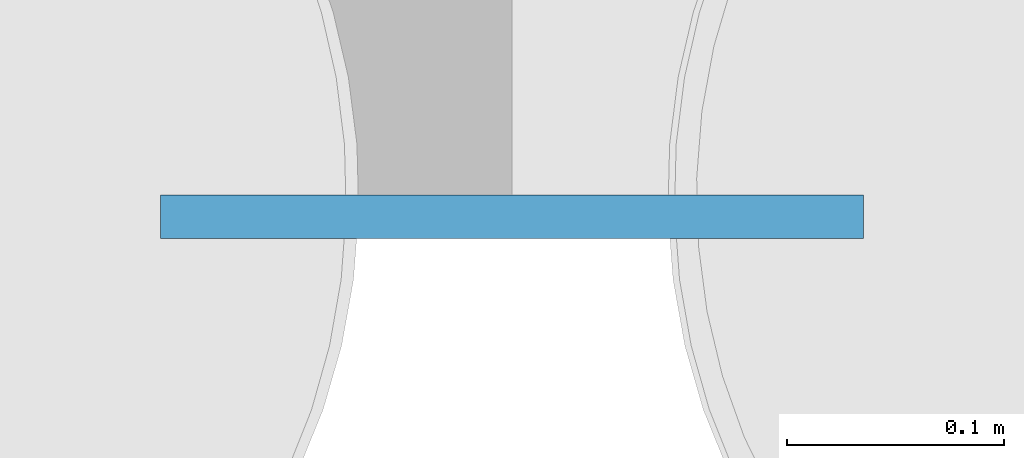
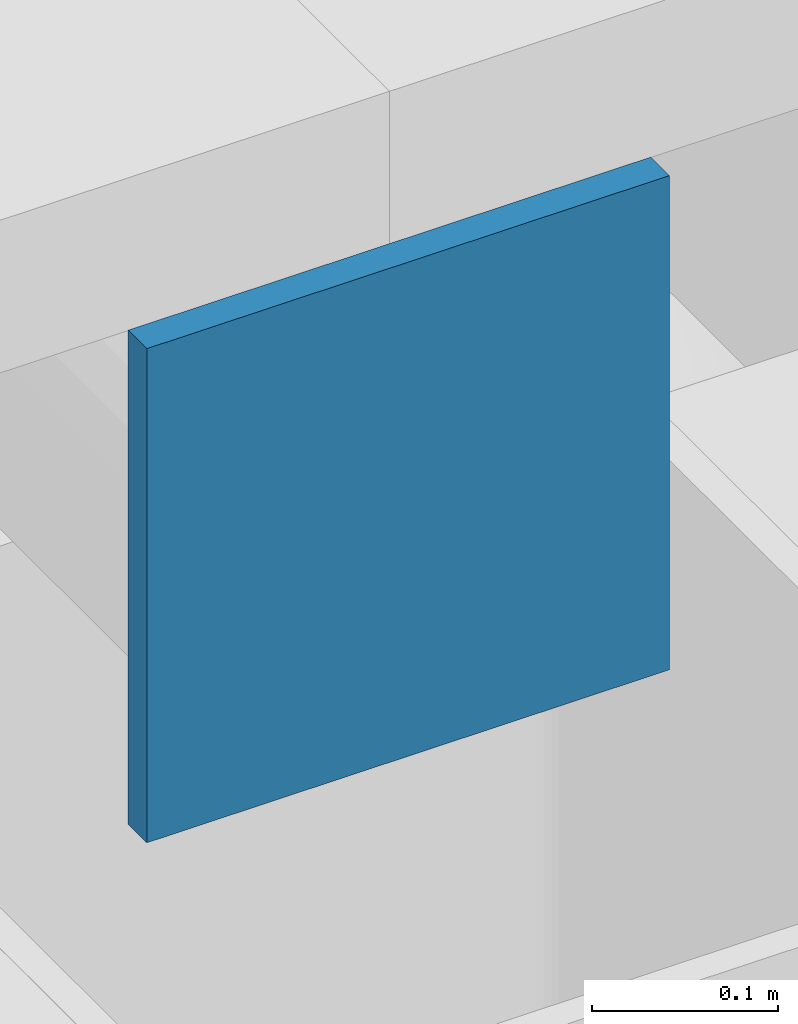
# One storey, part 4 of 11: 1 plate.
"""IFC4 building model written with IfcOpenShell, lengths in metres."""

from ifc_helpers import new_model, si_unit, direction, frame, origin, origin_2d, place, context, subcontext, project, spatial, rectangle, extrude, material, layer, layer_set, type_object, element, save


model = new_model("IFC4")

# Units and contexts
model_context = context("Model", 3, precision=1e-05, world=origin(), true_north=direction((0.0, 1.0)))
body_context = subcontext(model_context, "Body", "Model", "MODEL_VIEW")
ifc_project = project(units=[si_unit("LENGTHUNIT", "METRE"), si_unit("AREAUNIT", "SQUARE_METRE"), si_unit("VOLUMEUNIT", "CUBIC_METRE"), si_unit("PLANEANGLEUNIT", "RADIAN"), si_unit("MASSUNIT", "GRAM", prefix="KILO")], contexts=[model_context])

# Site, building, storey
site_placement = place(None, origin())
site = spatial("IfcSite", under=ifc_project, at=site_placement, CompositionType="ELEMENT")
building_placement = place(site_placement, origin())
building = spatial("IfcBuilding", under=site, at=building_placement, Name="Sennacour Bend Tower", CompositionType="ELEMENT")
storey_placement = place(building_placement, frame((0.0, 0.0, 355.5)))
storey = spatial("IfcBuildingStorey", under=building, at=storey_placement, Name="RF", CompositionType="ELEMENT", Elevation=355.5)

# Plate
ifc_material = material(Name="Steel ASTM A572 Grade 50", Category="steel")
ifc_layer = layer(ifc_material, 0.02001953125, Name="Steel ASTM A572 Grade 50", Category="steel")
ifc_layer_set = layer_set([ifc_layer], Name="Steel ASTM A572 Grade 50")
plate_type = type_object("IfcPlateType", Name="Crown rafter end plate 20", PredefinedType="USERDEFINED", material=ifc_layer_set)
plate_placement = place(storey_placement, frame((67.5, -0.010009765625, 23.67626953125), z_axis=(0.0, 0.0, 1.0), x_axis=(1.0, 0.0, 0.0)))
element("IfcPlate", 1, at=plate_placement, inside=storey, type_object=plate_type, Name="CROWN FRAME rafter end plate CFP-011", ObjectType="END PLATE", PredefinedType="USERDEFINED", context=body_context, shape_type="SweptSolid", body=[
    extrude(rectangle(XDim=0.323974609375, YDim=0.02001953125, at=origin_2d()), origin(), (0.0, 0.0, 1.0), 0.323974609375),
])

save(model, "model.ifc")
